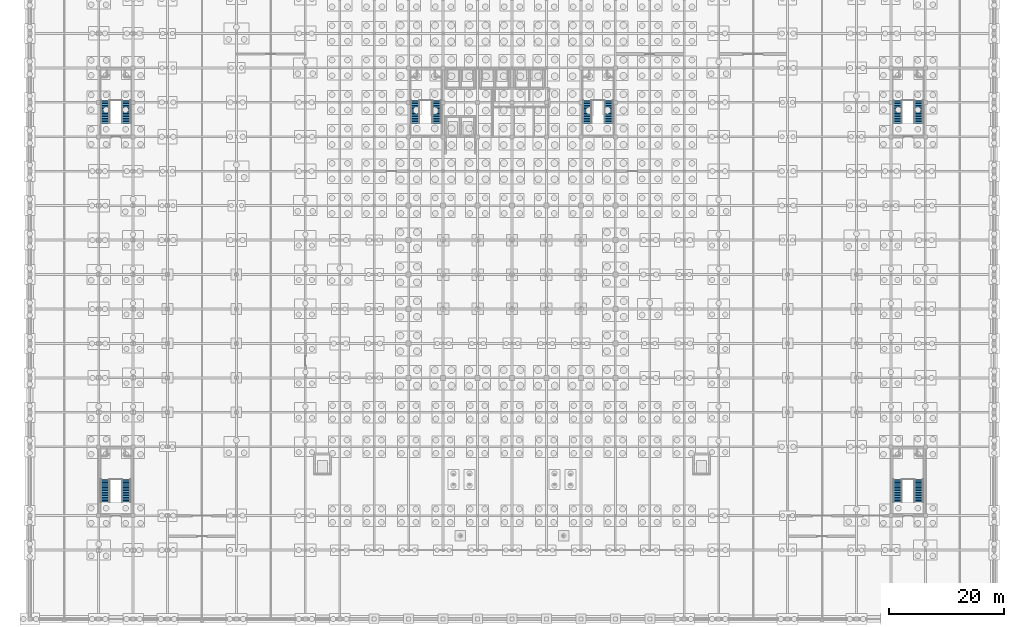
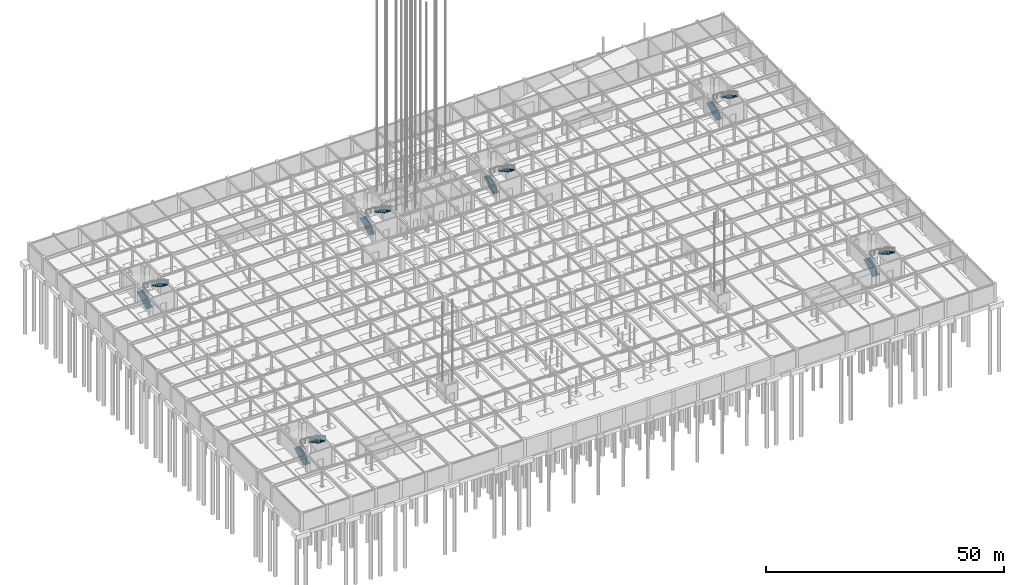
# One storey, part 49 of 69: 12 stair flights, 6 elements without a shape of their own.
"""IFC4 building model written with IfcOpenShell, lengths in metres."""

from ifc_helpers import new_model, si_unit, direction, frame, origin, place, context, subcontext, project, spatial, polyline, outline, extrude, material, type_object, element, aggregate, save


model = new_model("IFC4")

# Units and contexts
model_context = context("Model", 3, precision=1e-05, world=origin(), true_north=direction((0.0, 1.0)))
body_context = subcontext(model_context, "Body", "Model", "MODEL_VIEW")
ifc_project = project(units=[si_unit("LENGTHUNIT", "METRE"), si_unit("AREAUNIT", "SQUARE_METRE"), si_unit("VOLUMEUNIT", "CUBIC_METRE"), si_unit("PLANEANGLEUNIT", "RADIAN"), si_unit("MASSUNIT", "GRAM", prefix="KILO")], contexts=[model_context])

# Site, building, storey
site_placement = place(None, origin())
site = spatial("IfcSite", under=ifc_project, at=site_placement, CompositionType="ELEMENT")
building_placement = place(site_placement, origin())
building = spatial("IfcBuilding", under=site, at=building_placement, Name="Zlatovratsky Civic Hall", CompositionType="ELEMENT")
storey_placement = place(building_placement, frame((0.0, 0.0, -4.800048828125)))
storey = spatial("IfcBuildingStorey", under=building, at=storey_placement, Name="B1", CompositionType="ELEMENT", Elevation=-4.800048828125)

# Stair, stair flights
ifc_material = material(Name="Concrete C30/37 (B35)", Category="concrete")
stair_type_1 = type_object("IfcStairType", Name="Stair_HALF_30R_1550W_01", PredefinedType="HALF_TURN_STAIR", material=ifc_material)
stair_1_placement = place(storey_placement, origin())
stair_1 = element("IfcStair", 1, at=stair_1_placement, inside=storey, type_object=stair_type_1, Name="ST-001", PredefinedType="HALF_TURN_STAIR")
stair_flight_type_1 = type_object("IfcStairFlightType", Name="StairFlight_15R_1550W_01", PredefinedType="STRAIGHT", material=ifc_material)
stair_flight_1_placement = place(storey_placement, frame((67.125, 86.35009765625, 0.0), z_axis=(0.0, 0.0, 1.0), x_axis=(0.0, 1.0, 0.0)))
stair_flight_1 = element("IfcStairFlight", 2, at=stair_flight_1_placement, type_object=stair_flight_type_1, Name="ST-001-F1", NumberOfRisers=15, NumberOfTreads=14, PredefinedType="STRAIGHT", RiserHeight=0.16, TreadLength=0.285, context=body_context, shape_type="SweptSolid", body=[
    extrude(outline(polyline([(0.0, 0.0), (0.0, 0.159912109375), (0.284912109375, 0.159912109375), (0.284912109375, 0.320068359375), (0.570068359375, 0.320068359375), (0.570068359375, 0.47998046875), (0.85498046875, 0.47998046875), (0.85498046875, 0.639892578125), (1.139892578125, 0.639892578125), (1.139892578125, 0.800048828125), (1.425048828125, 0.800048828125), (1.425048828125, 0.9599609375), (1.7099609375, 0.9599609375), (1.7099609375, 1.1201171875), (1.9951171875, 1.1201171875), (1.9951171875, 1.280029296875), (2.280029296875, 1.280029296875), (2.280029296875, 1.43994140625), (2.56494140625, 1.43994140625), (2.56494140625, 1.60009765625), (2.85009765625, 1.60009765625), (2.85009765625, 1.760009765625), (3.135009765625, 1.760009765625), (3.135009765625, 1.919921875), (3.419921875, 1.919921875), (3.419921875, 2.080078125), (3.705078125, 2.080078125), (3.705078125, 2.239990234375), (3.989990234375, 2.239990234375), (3.989990234375, 2.39990234375), (3.989990234375, 2.03369140625), (0.36767578125, 0.0), (0.0, 0.0)])), frame((0.0, 0.77490234375, 0.0), z_axis=(0.0, -1.0, 0.0), x_axis=(1.0, 0.0, 0.0)), (0.0, 0.0, 1.0), 1.550048828125),
])
stair_flight_2_placement = place(storey_placement, frame((70.875, 90.340087890625, 2.400146484375), z_axis=(0.0, 0.0, 1.0), x_axis=(0.0, -1.0, 0.0)))
stair_flight_2 = element("IfcStairFlight", 3, at=stair_flight_2_placement, type_object=stair_flight_type_1, Name="ST-001-F2", NumberOfRisers=15, NumberOfTreads=14, PredefinedType="STRAIGHT", RiserHeight=0.16, TreadLength=0.285, context=body_context, shape_type="SweptSolid", body=[
    extrude(outline(polyline([(0.0, 0.0), (0.0, 0.159912109375), (0.284912109375, 0.159912109375), (0.284912109375, 0.320068359375), (0.570068359375, 0.320068359375), (0.570068359375, 0.47998046875), (0.85498046875, 0.47998046875), (0.85498046875, 0.639892578125), (1.139892578125, 0.639892578125), (1.139892578125, 0.800048828125), (1.425048828125, 0.800048828125), (1.425048828125, 0.9599609375), (1.7099609375, 0.9599609375), (1.7099609375, 1.1201171875), (1.9951171875, 1.1201171875), (1.9951171875, 1.280029296875), (2.280029296875, 1.280029296875), (2.280029296875, 1.43994140625), (2.56494140625, 1.43994140625), (2.56494140625, 1.60009765625), (2.85009765625, 1.60009765625), (2.85009765625, 1.760009765625), (3.135009765625, 1.760009765625), (3.135009765625, 1.919921875), (3.419921875, 1.919921875), (3.419921875, 2.080078125), (3.705078125, 2.080078125), (3.705078125, 2.239990234375), (3.989990234375, 2.239990234375), (3.989990234375, 2.39990234375), (3.989990234375, 2.03369140625), (0.36767578125, 0.0), (0.0, 0.0)])), frame((0.0, 0.77490234375, 0.0), z_axis=(0.0, -1.0, 0.0), x_axis=(1.0, 0.0, 0.0)), (0.0, 0.0, 1.0), 1.550048828125),
])
aggregate(stair_1, [stair_flight_1, stair_flight_2])

stair_2_placement = place(storey_placement, origin())
stair_2 = element("IfcStair", 4, at=stair_2_placement, inside=storey, type_object=stair_type_1, Name="ST-020", PredefinedType="HALF_TURN_STAIR")
stair_flight_3_placement = place(storey_placement, frame((97.125, 86.35009765625, 0.0), z_axis=(0.0, 0.0, 1.0), x_axis=(0.0, 1.0, 0.0)))
stair_flight_3 = element("IfcStairFlight", 5, at=stair_flight_3_placement, type_object=stair_flight_type_1, Name="ST-020-F1", NumberOfRisers=15, NumberOfTreads=14, PredefinedType="STRAIGHT", RiserHeight=0.16, TreadLength=0.285, context=body_context, shape_type="SweptSolid", body=[
    extrude(outline(polyline([(0.0, 0.0), (0.0, 0.159912109375), (0.284912109375, 0.159912109375), (0.284912109375, 0.320068359375), (0.570068359375, 0.320068359375), (0.570068359375, 0.47998046875), (0.85498046875, 0.47998046875), (0.85498046875, 0.639892578125), (1.139892578125, 0.639892578125), (1.139892578125, 0.800048828125), (1.425048828125, 0.800048828125), (1.425048828125, 0.9599609375), (1.7099609375, 0.9599609375), (1.7099609375, 1.1201171875), (1.9951171875, 1.1201171875), (1.9951171875, 1.280029296875), (2.280029296875, 1.280029296875), (2.280029296875, 1.43994140625), (2.56494140625, 1.43994140625), (2.56494140625, 1.60009765625), (2.85009765625, 1.60009765625), (2.85009765625, 1.760009765625), (3.135009765625, 1.760009765625), (3.135009765625, 1.919921875), (3.419921875, 1.919921875), (3.419921875, 2.080078125), (3.705078125, 2.080078125), (3.705078125, 2.239990234375), (3.989990234375, 2.239990234375), (3.989990234375, 2.39990234375), (3.989990234375, 2.03369140625), (0.36767578125, 0.0), (0.0, 0.0)])), frame((0.0, 0.77490234375, 0.0), z_axis=(0.0, -1.0, 0.0), x_axis=(1.0, 0.0, 0.0)), (0.0, 0.0, 1.0), 1.550048828125),
])
stair_flight_4_placement = place(storey_placement, frame((100.875, 90.340087890625, 2.400146484375), z_axis=(0.0, 0.0, 1.0), x_axis=(0.0, -1.0, 0.0)))
stair_flight_4 = element("IfcStairFlight", 6, at=stair_flight_4_placement, type_object=stair_flight_type_1, Name="ST-020-F2", NumberOfRisers=15, NumberOfTreads=14, PredefinedType="STRAIGHT", RiserHeight=0.16, TreadLength=0.285, context=body_context, shape_type="SweptSolid", body=[
    extrude(outline(polyline([(0.0, 0.0), (0.0, 0.159912109375), (0.284912109375, 0.159912109375), (0.284912109375, 0.320068359375), (0.570068359375, 0.320068359375), (0.570068359375, 0.47998046875), (0.85498046875, 0.47998046875), (0.85498046875, 0.639892578125), (1.139892578125, 0.639892578125), (1.139892578125, 0.800048828125), (1.425048828125, 0.800048828125), (1.425048828125, 0.9599609375), (1.7099609375, 0.9599609375), (1.7099609375, 1.1201171875), (1.9951171875, 1.1201171875), (1.9951171875, 1.280029296875), (2.280029296875, 1.280029296875), (2.280029296875, 1.43994140625), (2.56494140625, 1.43994140625), (2.56494140625, 1.60009765625), (2.85009765625, 1.60009765625), (2.85009765625, 1.760009765625), (3.135009765625, 1.760009765625), (3.135009765625, 1.919921875), (3.419921875, 1.919921875), (3.419921875, 2.080078125), (3.705078125, 2.080078125), (3.705078125, 2.239990234375), (3.989990234375, 2.239990234375), (3.989990234375, 2.39990234375), (3.989990234375, 2.03369140625), (0.36767578125, 0.0), (0.0, 0.0)])), frame((0.0, 0.77490234375, 0.0), z_axis=(0.0, -1.0, 0.0), x_axis=(1.0, 0.0, 0.0)), (0.0, 0.0, 1.0), 1.550048828125),
])
aggregate(stair_2, [stair_flight_3, stair_flight_4])

stair_type_2 = type_object("IfcStairType", Name="Stair_HALF_30R_1600W_06", PredefinedType="HALF_TURN_STAIR", material=ifc_material)
stair_3_placement = place(storey_placement, origin())
stair_3 = element("IfcStair", 7, at=stair_3_placement, inside=storey, type_object=stair_type_2, Name="ST-038", PredefinedType="HALF_TURN_STAIR")
stair_flight_type_2 = type_object("IfcStairFlightType", Name="StairFlight_15R_1600W_06", PredefinedType="STRAIGHT", material=ifc_material)
stair_flight_5_placement = place(storey_placement, frame((13.14990234375, 20.35009765625, 0.0), z_axis=(0.0, 0.0, 1.0), x_axis=(0.0, 1.0, 0.0)))
stair_flight_5 = element("IfcStairFlight", 8, at=stair_flight_5_placement, type_object=stair_flight_type_2, Name="ST-038-F1", NumberOfRisers=15, NumberOfTreads=14, PredefinedType="STRAIGHT", RiserHeight=0.16, TreadLength=0.285, context=body_context, shape_type="SweptSolid", body=[
    extrude(outline(polyline([(0.0, 0.0), (0.0, 0.159912109375), (0.284912109375, 0.159912109375), (0.284912109375, 0.320068359375), (0.570068359375, 0.320068359375), (0.570068359375, 0.47998046875), (0.85498046875, 0.47998046875), (0.85498046875, 0.639892578125), (1.139892578125, 0.639892578125), (1.139892578125, 0.800048828125), (1.425048828125, 0.800048828125), (1.425048828125, 0.9599609375), (1.7099609375, 0.9599609375), (1.7099609375, 1.1201171875), (1.9951171875, 1.1201171875), (1.9951171875, 1.280029296875), (2.280029296875, 1.280029296875), (2.280029296875, 1.43994140625), (2.56494140625, 1.43994140625), (2.56494140625, 1.60009765625), (2.85009765625, 1.60009765625), (2.85009765625, 1.760009765625), (3.135009765625, 1.760009765625), (3.135009765625, 1.919921875), (3.419921875, 1.919921875), (3.419921875, 2.080078125), (3.705078125, 2.080078125), (3.705078125, 2.239990234375), (3.989990234375, 2.239990234375), (3.989990234375, 2.39990234375), (3.989990234375, 2.03369140625), (0.36767578125, 0.0), (0.0, 0.0)])), frame((0.0, 0.800048828125, 0.0), z_axis=(0.0, -1.0, 0.0), x_axis=(1.0, 0.0, 0.0)), (0.0, 0.0, 1.0), 1.60009765625),
])
stair_flight_6_placement = place(storey_placement, frame((16.85009765625, 24.340087890625, 2.400146484375), z_axis=(0.0, 0.0, 1.0), x_axis=(0.0, -1.0, 0.0)))
stair_flight_6 = element("IfcStairFlight", 9, at=stair_flight_6_placement, type_object=stair_flight_type_2, Name="ST-038-F2", NumberOfRisers=15, NumberOfTreads=14, PredefinedType="STRAIGHT", RiserHeight=0.16, TreadLength=0.285, context=body_context, shape_type="SweptSolid", body=[
    extrude(outline(polyline([(0.0, 0.0), (0.0, 0.159912109375), (0.284912109375, 0.159912109375), (0.284912109375, 0.320068359375), (0.570068359375, 0.320068359375), (0.570068359375, 0.47998046875), (0.85498046875, 0.47998046875), (0.85498046875, 0.639892578125), (1.139892578125, 0.639892578125), (1.139892578125, 0.800048828125), (1.425048828125, 0.800048828125), (1.425048828125, 0.9599609375), (1.7099609375, 0.9599609375), (1.7099609375, 1.1201171875), (1.9951171875, 1.1201171875), (1.9951171875, 1.280029296875), (2.280029296875, 1.280029296875), (2.280029296875, 1.43994140625), (2.56494140625, 1.43994140625), (2.56494140625, 1.60009765625), (2.85009765625, 1.60009765625), (2.85009765625, 1.760009765625), (3.135009765625, 1.760009765625), (3.135009765625, 1.919921875), (3.419921875, 1.919921875), (3.419921875, 2.080078125), (3.705078125, 2.080078125), (3.705078125, 2.239990234375), (3.989990234375, 2.239990234375), (3.989990234375, 2.39990234375), (3.989990234375, 2.03369140625), (0.36767578125, 0.0), (0.0, 0.0)])), frame((0.0, 0.800048828125, 0.0), z_axis=(0.0, -1.0, 0.0), x_axis=(1.0, 0.0, 0.0)), (0.0, 0.0, 1.0), 1.60009765625),
])
aggregate(stair_3, [stair_flight_5, stair_flight_6])

stair_4_placement = place(storey_placement, origin())
stair_4 = element("IfcStair", 10, at=stair_4_placement, inside=storey, type_object=stair_type_2, Name="ST-042", PredefinedType="HALF_TURN_STAIR")
stair_flight_7_placement = place(storey_placement, frame((151.14990234375, 20.35009765625, 0.0), z_axis=(0.0, 0.0, 1.0), x_axis=(0.0, 1.0, 0.0)))
stair_flight_7 = element("IfcStairFlight", 11, at=stair_flight_7_placement, type_object=stair_flight_type_2, Name="ST-042-F1", NumberOfRisers=15, NumberOfTreads=14, PredefinedType="STRAIGHT", RiserHeight=0.16, TreadLength=0.285, context=body_context, shape_type="SweptSolid", body=[
    extrude(outline(polyline([(0.0, 0.0), (0.0, 0.159912109375), (0.284912109375, 0.159912109375), (0.284912109375, 0.320068359375), (0.570068359375, 0.320068359375), (0.570068359375, 0.47998046875), (0.85498046875, 0.47998046875), (0.85498046875, 0.639892578125), (1.139892578125, 0.639892578125), (1.139892578125, 0.800048828125), (1.425048828125, 0.800048828125), (1.425048828125, 0.9599609375), (1.7099609375, 0.9599609375), (1.7099609375, 1.1201171875), (1.9951171875, 1.1201171875), (1.9951171875, 1.280029296875), (2.280029296875, 1.280029296875), (2.280029296875, 1.43994140625), (2.56494140625, 1.43994140625), (2.56494140625, 1.60009765625), (2.85009765625, 1.60009765625), (2.85009765625, 1.760009765625), (3.135009765625, 1.760009765625), (3.135009765625, 1.919921875), (3.419921875, 1.919921875), (3.419921875, 2.080078125), (3.705078125, 2.080078125), (3.705078125, 2.239990234375), (3.989990234375, 2.239990234375), (3.989990234375, 2.39990234375), (3.989990234375, 2.03369140625), (0.36767578125, 0.0), (0.0, 0.0)])), frame((0.0, 0.800048828125, 0.0), z_axis=(0.0, -1.0, 0.0), x_axis=(1.0, 0.0, 0.0)), (0.0, 0.0, 1.0), 1.60009765625),
])
stair_flight_8_placement = place(storey_placement, frame((154.85009765625, 24.340087890625, 2.400146484375), z_axis=(0.0, 0.0, 1.0), x_axis=(0.0, -1.0, 0.0)))
stair_flight_8 = element("IfcStairFlight", 12, at=stair_flight_8_placement, type_object=stair_flight_type_2, Name="ST-042-F2", NumberOfRisers=15, NumberOfTreads=14, PredefinedType="STRAIGHT", RiserHeight=0.16, TreadLength=0.285, context=body_context, shape_type="SweptSolid", body=[
    extrude(outline(polyline([(0.0, 0.0), (0.0, 0.159912109375), (0.284912109375, 0.159912109375), (0.284912109375, 0.320068359375), (0.570068359375, 0.320068359375), (0.570068359375, 0.47998046875), (0.85498046875, 0.47998046875), (0.85498046875, 0.639892578125), (1.139892578125, 0.639892578125), (1.139892578125, 0.800048828125), (1.425048828125, 0.800048828125), (1.425048828125, 0.9599609375), (1.7099609375, 0.9599609375), (1.7099609375, 1.1201171875), (1.9951171875, 1.1201171875), (1.9951171875, 1.280029296875), (2.280029296875, 1.280029296875), (2.280029296875, 1.43994140625), (2.56494140625, 1.43994140625), (2.56494140625, 1.60009765625), (2.85009765625, 1.60009765625), (2.85009765625, 1.760009765625), (3.135009765625, 1.760009765625), (3.135009765625, 1.919921875), (3.419921875, 1.919921875), (3.419921875, 2.080078125), (3.705078125, 2.080078125), (3.705078125, 2.239990234375), (3.989990234375, 2.239990234375), (3.989990234375, 2.39990234375), (3.989990234375, 2.03369140625), (0.36767578125, 0.0), (0.0, 0.0)])), frame((0.0, 0.800048828125, 0.0), z_axis=(0.0, -1.0, 0.0), x_axis=(1.0, 0.0, 0.0)), (0.0, 0.0, 1.0), 1.60009765625),
])
aggregate(stair_4, [stair_flight_7, stair_flight_8])

stair_5_placement = place(storey_placement, origin())
stair_5 = element("IfcStair", 13, at=stair_5_placement, inside=storey, type_object=stair_type_2, Name="ST-046", PredefinedType="HALF_TURN_STAIR")
stair_flight_9_placement = place(storey_placement, frame((13.14990234375, 86.35009765625, 0.0), z_axis=(0.0, 0.0, 1.0), x_axis=(0.0, 1.0, 0.0)))
stair_flight_9 = element("IfcStairFlight", 14, at=stair_flight_9_placement, type_object=stair_flight_type_2, Name="ST-046-F1", NumberOfRisers=15, NumberOfTreads=14, PredefinedType="STRAIGHT", RiserHeight=0.16, TreadLength=0.285, context=body_context, shape_type="SweptSolid", body=[
    extrude(outline(polyline([(0.0, 0.0), (0.0, 0.159912109375), (0.284912109375, 0.159912109375), (0.284912109375, 0.320068359375), (0.570068359375, 0.320068359375), (0.570068359375, 0.47998046875), (0.85498046875, 0.47998046875), (0.85498046875, 0.639892578125), (1.139892578125, 0.639892578125), (1.139892578125, 0.800048828125), (1.425048828125, 0.800048828125), (1.425048828125, 0.9599609375), (1.7099609375, 0.9599609375), (1.7099609375, 1.1201171875), (1.9951171875, 1.1201171875), (1.9951171875, 1.280029296875), (2.280029296875, 1.280029296875), (2.280029296875, 1.43994140625), (2.56494140625, 1.43994140625), (2.56494140625, 1.60009765625), (2.85009765625, 1.60009765625), (2.85009765625, 1.760009765625), (3.135009765625, 1.760009765625), (3.135009765625, 1.919921875), (3.419921875, 1.919921875), (3.419921875, 2.080078125), (3.705078125, 2.080078125), (3.705078125, 2.239990234375), (3.989990234375, 2.239990234375), (3.989990234375, 2.39990234375), (3.989990234375, 2.03369140625), (0.36767578125, 0.0), (0.0, 0.0)])), frame((0.0, 0.800048828125, 0.0), z_axis=(0.0, -1.0, 0.0), x_axis=(1.0, 0.0, 0.0)), (0.0, 0.0, 1.0), 1.60009765625),
])
stair_flight_10_placement = place(storey_placement, frame((16.85009765625, 90.340087890625, 2.400146484375), z_axis=(0.0, 0.0, 1.0), x_axis=(0.0, -1.0, 0.0)))
stair_flight_10 = element("IfcStairFlight", 15, at=stair_flight_10_placement, type_object=stair_flight_type_2, Name="ST-046-F2", NumberOfRisers=15, NumberOfTreads=14, PredefinedType="STRAIGHT", RiserHeight=0.16, TreadLength=0.285, context=body_context, shape_type="SweptSolid", body=[
    extrude(outline(polyline([(0.0, 0.0), (0.0, 0.159912109375), (0.284912109375, 0.159912109375), (0.284912109375, 0.320068359375), (0.570068359375, 0.320068359375), (0.570068359375, 0.47998046875), (0.85498046875, 0.47998046875), (0.85498046875, 0.639892578125), (1.139892578125, 0.639892578125), (1.139892578125, 0.800048828125), (1.425048828125, 0.800048828125), (1.425048828125, 0.9599609375), (1.7099609375, 0.9599609375), (1.7099609375, 1.1201171875), (1.9951171875, 1.1201171875), (1.9951171875, 1.280029296875), (2.280029296875, 1.280029296875), (2.280029296875, 1.43994140625), (2.56494140625, 1.43994140625), (2.56494140625, 1.60009765625), (2.85009765625, 1.60009765625), (2.85009765625, 1.760009765625), (3.135009765625, 1.760009765625), (3.135009765625, 1.919921875), (3.419921875, 1.919921875), (3.419921875, 2.080078125), (3.705078125, 2.080078125), (3.705078125, 2.239990234375), (3.989990234375, 2.239990234375), (3.989990234375, 2.39990234375), (3.989990234375, 2.03369140625), (0.36767578125, 0.0), (0.0, 0.0)])), frame((0.0, 0.800048828125, 0.0), z_axis=(0.0, -1.0, 0.0), x_axis=(1.0, 0.0, 0.0)), (0.0, 0.0, 1.0), 1.60009765625),
])
aggregate(stair_5, [stair_flight_9, stair_flight_10])

stair_6_placement = place(storey_placement, origin())
stair_6 = element("IfcStair", 16, at=stair_6_placement, inside=storey, type_object=stair_type_2, Name="ST-050", PredefinedType="HALF_TURN_STAIR")
stair_flight_11_placement = place(storey_placement, frame((151.14990234375, 86.35009765625, 0.0), z_axis=(0.0, 0.0, 1.0), x_axis=(0.0, 1.0, 0.0)))
stair_flight_11 = element("IfcStairFlight", 17, at=stair_flight_11_placement, type_object=stair_flight_type_2, Name="ST-050-F1", NumberOfRisers=15, NumberOfTreads=14, PredefinedType="STRAIGHT", RiserHeight=0.16, TreadLength=0.285, context=body_context, shape_type="SweptSolid", body=[
    extrude(outline(polyline([(0.0, 0.0), (0.0, 0.159912109375), (0.284912109375, 0.159912109375), (0.284912109375, 0.320068359375), (0.570068359375, 0.320068359375), (0.570068359375, 0.47998046875), (0.85498046875, 0.47998046875), (0.85498046875, 0.639892578125), (1.139892578125, 0.639892578125), (1.139892578125, 0.800048828125), (1.425048828125, 0.800048828125), (1.425048828125, 0.9599609375), (1.7099609375, 0.9599609375), (1.7099609375, 1.1201171875), (1.9951171875, 1.1201171875), (1.9951171875, 1.280029296875), (2.280029296875, 1.280029296875), (2.280029296875, 1.43994140625), (2.56494140625, 1.43994140625), (2.56494140625, 1.60009765625), (2.85009765625, 1.60009765625), (2.85009765625, 1.760009765625), (3.135009765625, 1.760009765625), (3.135009765625, 1.919921875), (3.419921875, 1.919921875), (3.419921875, 2.080078125), (3.705078125, 2.080078125), (3.705078125, 2.239990234375), (3.989990234375, 2.239990234375), (3.989990234375, 2.39990234375), (3.989990234375, 2.03369140625), (0.36767578125, 0.0), (0.0, 0.0)])), frame((0.0, 0.800048828125, 0.0), z_axis=(0.0, -1.0, 0.0), x_axis=(1.0, 0.0, 0.0)), (0.0, 0.0, 1.0), 1.60009765625),
])
stair_flight_12_placement = place(storey_placement, frame((154.85009765625, 90.340087890625, 2.400146484375), z_axis=(0.0, 0.0, 1.0), x_axis=(0.0, -1.0, 0.0)))
stair_flight_12 = element("IfcStairFlight", 18, at=stair_flight_12_placement, type_object=stair_flight_type_2, Name="ST-050-F2", NumberOfRisers=15, NumberOfTreads=14, PredefinedType="STRAIGHT", RiserHeight=0.16, TreadLength=0.285, context=body_context, shape_type="SweptSolid", body=[
    extrude(outline(polyline([(0.0, 0.0), (0.0, 0.159912109375), (0.284912109375, 0.159912109375), (0.284912109375, 0.320068359375), (0.570068359375, 0.320068359375), (0.570068359375, 0.47998046875), (0.85498046875, 0.47998046875), (0.85498046875, 0.639892578125), (1.139892578125, 0.639892578125), (1.139892578125, 0.800048828125), (1.425048828125, 0.800048828125), (1.425048828125, 0.9599609375), (1.7099609375, 0.9599609375), (1.7099609375, 1.1201171875), (1.9951171875, 1.1201171875), (1.9951171875, 1.280029296875), (2.280029296875, 1.280029296875), (2.280029296875, 1.43994140625), (2.56494140625, 1.43994140625), (2.56494140625, 1.60009765625), (2.85009765625, 1.60009765625), (2.85009765625, 1.760009765625), (3.135009765625, 1.760009765625), (3.135009765625, 1.919921875), (3.419921875, 1.919921875), (3.419921875, 2.080078125), (3.705078125, 2.080078125), (3.705078125, 2.239990234375), (3.989990234375, 2.239990234375), (3.989990234375, 2.39990234375), (3.989990234375, 2.03369140625), (0.36767578125, 0.0), (0.0, 0.0)])), frame((0.0, 0.800048828125, 0.0), z_axis=(0.0, -1.0, 0.0), x_axis=(1.0, 0.0, 0.0)), (0.0, 0.0, 1.0), 1.60009765625),
])
aggregate(stair_6, [stair_flight_11, stair_flight_12])

save(model, "model.ifc")
